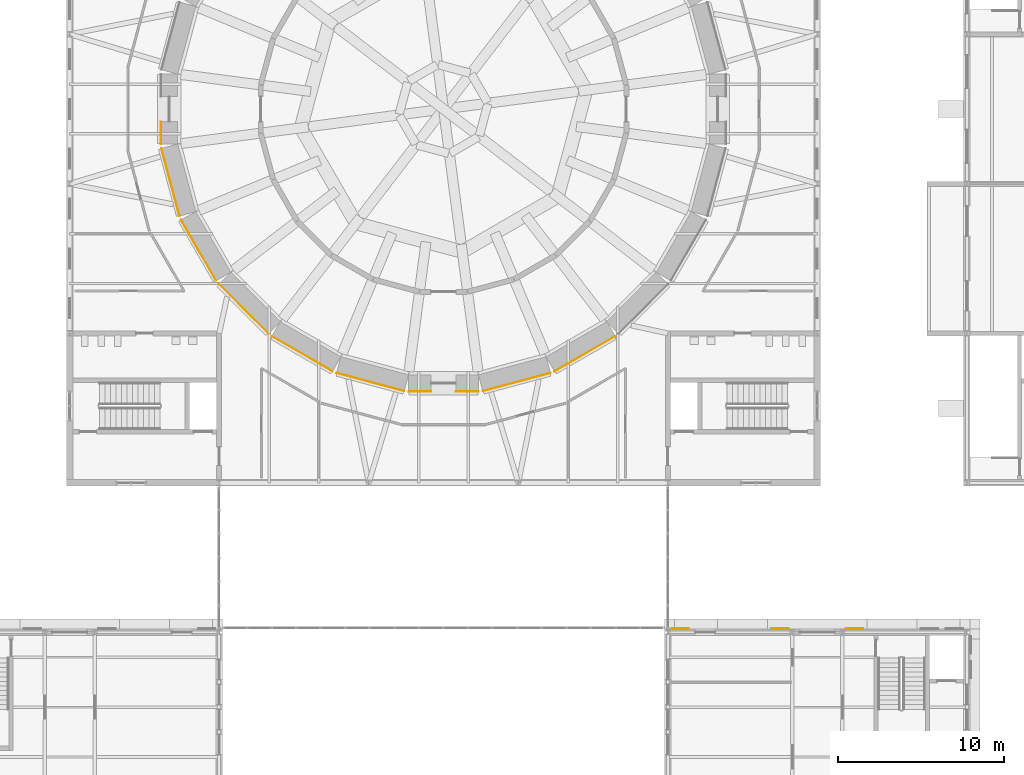
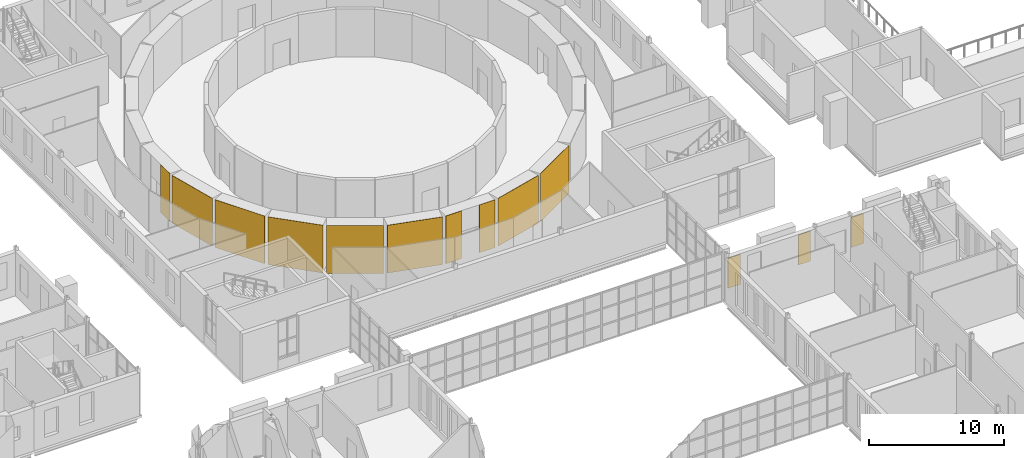
# One storey, part 120 of 131: 13 coverings.
"""IFC4 building model written with IfcOpenShell, lengths in metres."""

import ifcopenshell
import ifcopenshell.guid

model = None  # the IFC model being written
_history = None  # IfcOwnerHistory: only IFC2X3 demands one
_inside = {}  # id of a spatial element -> (the spatial element, [elements in it])
_under = {}  # id of a project, library or spatial element -> (it, [spatial elements below it])
_declared = {}  # id of a project -> (the project, [libraries it declares])
_typed = {}  # id of a type object -> (the type object, [elements of that type])
_made_of = {}  # id of a material, layer set ... -> (it, [elements and type objects made of it])


def new_model(schema):
    """Start an empty IFC model of exactly this schema.

    Asked for "IFC4X3", IfcOpenShell would pick the latest addendum, in which some entities
    have other attributes; the version numbers below select the first issue.
    IFC2X3 requires an IfcOwnerHistory on every rooted entity: one is made here for all.
    """
    global model, _history
    if schema == "IFC4X3":
        model = ifcopenshell.file(schema_version=(4, 3, 0, 0))
    else:
        model = ifcopenshell.file(schema=schema)
    _inside.clear()
    _under.clear()
    _declared.clear()
    _typed.clear()
    _made_of.clear()
    _history = None
    if model.schema == "IFC2X3":
        org = make("IfcOrganization", Name="unknown")
        user = make(
            "IfcPersonAndOrganization",
            ThePerson=make("IfcPerson", FamilyName="unknown"),
            TheOrganization=org,
        )
        app = make(
            "IfcApplication",
            ApplicationDeveloper=org,
            Version="unknown",
            ApplicationFullName="unknown",
            ApplicationIdentifier="unknown",
        )
        _history = make(
            "IfcOwnerHistory",
            OwningUser=user,
            OwningApplication=app,
            ChangeAction="ADDED",
            CreationDate=0,
        )
    return model


def make(cls, **values):
    """One entity of the class cls with the attributes given. An attribute that is None is left unset."""
    return model.create_entity(
        cls, **{name: value for name, value in values.items() if value is not None}
    )


def rooted(cls, **values):
    """An entity with a GlobalId (a new one), such as an element, a storey or a relation."""
    return make(cls, GlobalId=ifcopenshell.guid.new(), OwnerHistory=_history, **values)


def si_unit(unit_type, name, prefix=None):
    """IfcSIUnit, for example si_unit("LENGTHUNIT", "METRE", prefix="MILLI")."""
    return make("IfcSIUnit", UnitType=unit_type, Prefix=prefix, Name=name)


def assignment(units):
    """IfcUnitAssignment: the units of a project."""
    return None if units is None else make("IfcUnitAssignment", Units=units)


def point(xyz):
    """IfcCartesianPoint."""
    return None if xyz is None else make("IfcCartesianPoint", Coordinates=xyz)


def direction(xyz):
    """IfcDirection."""
    return None if xyz is None else make("IfcDirection", DirectionRatios=xyz)


def frame(location, z_axis=None, x_axis=None):
    """IfcAxis2Placement3D, a coordinate frame: its origin and axes. An axis left out is left unset."""
    return make(
        "IfcAxis2Placement3D",
        Location=point(location),
        Axis=direction(z_axis),
        RefDirection=direction(x_axis),
    )


def frame_2d(location, x_axis=None):
    """IfcAxis2Placement2D, a coordinate frame in the plane: its origin and x axis."""
    return make(
        "IfcAxis2Placement2D", Location=point(location), RefDirection=direction(x_axis)
    )


def origin():
    """The frame at (0, 0, 0) with its axes left unset."""
    return frame((0.0, 0.0, 0.0))


def origin_2d():
    """The frame at (0, 0) in the plane with its x axis left unset."""
    return frame_2d((0.0, 0.0))


def place(relative_to, where):
    """IfcLocalPlacement: puts the frame where relative to a parent placement (None: the world)."""
    return make(
        "IfcLocalPlacement", PlacementRelTo=relative_to, RelativePlacement=where
    )


def context(
    kind, dimensions, precision=None, world=None, true_north=None, identifier=None
):
    """IfcGeometricRepresentationContext, for example the 3D "Model" context."""
    return make(
        "IfcGeometricRepresentationContext",
        ContextIdentifier=identifier,
        ContextType=kind,
        CoordinateSpaceDimension=dimensions,
        Precision=precision,
        WorldCoordinateSystem=world,
        TrueNorth=true_north,
    )


def subcontext(parent, identifier, kind, view, scale=None):
    """IfcGeometricRepresentationSubContext, for example "Body" below "Model"."""
    return make(
        "IfcGeometricRepresentationSubContext",
        ContextIdentifier=identifier,
        ContextType=kind,
        ParentContext=parent,
        TargetScale=scale,
        TargetView=view,
    )


def project(units=None, contexts=None):
    """IfcProject with its units and contexts."""
    return rooted(
        "IfcProject",
        Name="project",
        RepresentationContexts=contexts,
        UnitsInContext=assignment(units),
    )


def spatial(cls, under=None, at=None, **own):
    """A site, building, storey or space (cls), placed at a placement, below another one or the project."""
    s = rooted(cls, ObjectPlacement=at, **own)
    if under is not None:
        _under.setdefault(under.id(), (under, []))[1].append(s)
    return s


def polyline(points):
    """IfcPolyline through the points."""
    return make("IfcPolyline", Points=[point(p) for p in points])


def profile(cls, at=None, kind="AREA", **sizes):
    """A parametric profile (cls). Its sizes go by their IFC names, for example OverallWidth=200.0."""
    return make(cls, ProfileType=kind, Position=at, **sizes)


def rectangle(**sizes):
    """IfcRectangleProfileDef."""
    return profile("IfcRectangleProfileDef", **sizes)


def outline(outer, holes=None, kind="AREA"):
    """IfcArbitraryClosedProfileDef: a profile drawn as a closed curve; with holes, ...WithVoids."""
    if holes is None:
        return make("IfcArbitraryClosedProfileDef", ProfileType=kind, OuterCurve=outer)
    return make(
        "IfcArbitraryProfileDefWithVoids",
        ProfileType=kind,
        OuterCurve=outer,
        InnerCurves=holes,
    )


def extrude(swept, where, along, depth):
    """IfcExtrudedAreaSolid: the profile swept, set in the frame where, extruded along a direction by depth."""
    return make(
        "IfcExtrudedAreaSolid",
        SweptArea=swept,
        Position=where,
        ExtrudedDirection=direction(along),
        Depth=depth,
    )


def shape(context_of_items, identifier, shape_type, items):
    """IfcShapeRepresentation: the items that make up one representation, for example the "Body"."""
    return make(
        "IfcShapeRepresentation",
        ContextOfItems=context_of_items,
        RepresentationIdentifier=identifier,
        RepresentationType=shape_type,
        Items=items,
    )


def material(Name=None, Category=None):
    """IfcMaterial."""
    return make("IfcMaterial", Name=Name, Category=Category)


def layer(
    of_material, thickness, ventilated=None, Name=None, Category=None, Priority=None
):
    """IfcMaterialLayer: one layer of a wall or slab, of a material (None: an air gap)."""
    return make(
        "IfcMaterialLayer",
        Material=of_material,
        LayerThickness=thickness,
        IsVentilated=ventilated,
        Name=Name,
        Category=Category,
        Priority=Priority,
    )


def layer_set(layers, Name=None):
    """IfcMaterialLayerSet."""
    return make("IfcMaterialLayerSet", MaterialLayers=layers, LayerSetName=Name)


def made_of(thing, what):
    """Note that an element or type object is made of a material, layer set ...; save() writes the relation."""
    if what is not None:
        _made_of.setdefault(what.id(), (what, []))[1].append(thing)
    return thing


def type_object(cls, material=None, **own):
    """A type object (cls), such as IfcWallType, which elements share."""
    return made_of(rooted(cls, **own), material)


def element(
    cls,
    number,
    at=None,
    inside=None,
    cuts=None,
    type_object=None,
    material=None,
    context=None,
    identifier="Body",
    shape_type=None,
    held_by="IfcProductDefinitionShape",
    body=None,
    shapes=None,
    **own,
):
    """One element of the class cls, such as IfcWall. Its Tag is "e" and its number.

    at: its placement. inside: the storey or other place that contains it. cuts: it is an
    opening in that element (IfcRelVoidsElement). A single representation is given by context,
    identifier, shape_type and body (its items); several are given by shapes. held_by: the class
    of the entity that holds the representations. save() writes the other relations.
    """
    e = rooted(cls, Tag="e%d" % number, ObjectPlacement=at, **own)
    if body is not None:
        shapes = [shape(context, identifier, shape_type, body)]
    if shapes is not None:
        e.Representation = make(held_by, Representations=shapes)
    if inside is not None:
        _inside.setdefault(inside.id(), (inside, []))[1].append(e)
    if cuts is not None:
        rooted(
            "IfcRelVoidsElement", RelatingBuildingElement=cuts, RelatedOpeningElement=e
        )
    if type_object is not None:
        _typed.setdefault(type_object.id(), (type_object, []))[1].append(e)
    return made_of(e, material)


def aggregate(whole, parts):
    """IfcRelAggregates: a whole, such as a stair, and the parts it consists of."""
    return rooted("IfcRelAggregates", RelatingObject=whole, RelatedObjects=parts)


def save(model, path):
    """Write the relations noted so far, then the file.

    IfcRelAggregates (storeys below a building ...), IfcRelContainedInSpatialStructure (elements
    in a storey), IfcRelDefinesByType, IfcRelAssociatesMaterial and IfcRelDeclares: one each for
    every whole, place, type object, material and project.
    """
    for whole, parts in _under.values():
        aggregate(whole, parts)
    for where, things in _inside.values():
        rooted(
            "IfcRelContainedInSpatialStructure",
            RelatedElements=things,
            RelatingStructure=where,
        )
    for kind, things in _typed.values():
        rooted("IfcRelDefinesByType", RelatedObjects=things, RelatingType=kind)
    for what, things in _made_of.values():
        rooted("IfcRelAssociatesMaterial", RelatedObjects=things, RelatingMaterial=what)
    for by, libraries in _declared.values():
        rooted("IfcRelDeclares", RelatingContext=by, RelatedDefinitions=libraries)
    model.write(path)


model = new_model("IFC4")

# Units and contexts
model_context = context("Model", 3, precision=1e-05, world=origin(), true_north=direction((0.0, 1.0)))
body_context = subcontext(model_context, "Body", "Model", "MODEL_VIEW")
ifc_project = project(units=[si_unit("LENGTHUNIT", "METRE"), si_unit("AREAUNIT", "SQUARE_METRE"), si_unit("VOLUMEUNIT", "CUBIC_METRE"), si_unit("PLANEANGLEUNIT", "RADIAN"), si_unit("MASSUNIT", "GRAM", prefix="KILO")], contexts=[model_context])

# Site, building, storey
site_placement = place(None, origin())
site = spatial("IfcSite", under=ifc_project, at=site_placement, CompositionType="ELEMENT")
building_placement = place(site_placement, origin())
building = spatial("IfcBuilding", under=site, at=building_placement, Name="Golden Quay Civic Hall", CompositionType="ELEMENT")
storey_placement = place(building_placement, frame((0.0, 0.0, 9.89990234375)))
storey = spatial("IfcBuildingStorey", under=building, at=storey_placement, Name="L02", CompositionType="ELEMENT", Elevation=9.89990234375)

# Coverings
ifc_material_1 = material(Name="Ceramic tile")
ifc_layer_1 = layer(ifc_material_1, 0.030029296875)
ifc_layer_set_1 = layer_set([ifc_layer_1], Name="Ceramic tile cladding, green glaze")
covering_type_1 = type_object("IfcCoveringType", Name="Ceramic tile cladding, green glaze", PredefinedType="CLADDING", material=ifc_layer_set_1)
covering_1_placement = place(storey_placement, frame((68.485107421875, 84.07177734375, 0.0), z_axis=(0.0, 0.0, 1.0), x_axis=(0.0, -1.0, 0.0)))
element("IfcCovering", 1, at=covering_1_placement, inside=storey, type_object=covering_type_1, Name="Drum cladding 12.2", PredefinedType="CLADDING", context=body_context, shape_type="SweptSolid", body=[
    extrude(rectangle(XDim=1.3564453125, YDim=0.030029296875, at=origin_2d()), origin(), (0.0, 0.0, 1.0), 4.300048828125),
])
for number, where, z_axis, x_axis, name in (
    (2, (69.064697265625, 81.09619140625, 0.0), (0.0, 0.0, 1.0), (0.258819045103, -0.965925826289, 0.0), "Drum cladding 13.1"),
    (3, (70.7646484375, 76.992431640625, 0.0), (0.0, 0.0, 1.0), (0.5, -0.866025403784, 0.0), "Drum cladding 14.1"),
    (4, (73.468505859375, 73.468505859375, 0.0), (0.0, 0.0, 1.0), (0.707106781187, -0.707106781187, 0.0), "Drum cladding 15.1"),
    (5, (76.992431640625, 70.7646484375, 0.0), (0.0, 0.0, 1.0), (0.866025403784, -0.5, 0.0), "Drum cladding 16.1"),
    (6, (81.09619140625, 69.064697265625, 0.0), (0.0, 0.0, 1.0), (0.965925826289, -0.258819045103, 0.0), "Drum cladding 17.1"),
):
    element("IfcCovering", number, at=place(storey_placement, frame(where, z_axis=z_axis, x_axis=x_axis)), inside=storey, type_object=covering_type_1, Name=name, PredefinedType="CLADDING", context=body_context, shape_type="SweptSolid", body=[
        extrude(rectangle(XDim=4.212890625, YDim=0.030029296875, at=origin_2d()), origin(), (0.0, 0.0, 1.0), 4.300048828125),
    ])
for number, where, z_axis, x_axis, name in (
    (7, (84.07177734375, 68.485107421875, 0.0), (0.0, 0.0, 1.0), (1.0, 0.0, 0.0), "Drum cladding 18.1"),
    (8, (86.92822265625, 68.485107421875, 0.0), (0.0, 0.0, 1.0), (1.0, 0.0, 0.0), "Drum cladding 18.2"),
):
    element("IfcCovering", number, at=place(storey_placement, frame(where, z_axis=z_axis, x_axis=x_axis)), inside=storey, type_object=covering_type_1, Name=name, PredefinedType="CLADDING", context=body_context, shape_type="SweptSolid", body=[
        extrude(rectangle(XDim=1.3564453125, YDim=0.030029296875, at=origin_2d()), origin(), (0.0, 0.0, 1.0), 4.300048828125),
    ])
for number, where, z_axis, x_axis, name in (
    (9, (89.90380859375, 69.064697265625, 0.0), (0.0, 0.0, 1.0), (0.965925826289, 0.258819045103, 0.0), "Drum cladding 19.1"),
    (10, (94.007568359375, 70.7646484375, 0.0), (0.0, 0.0, 1.0), (0.866025403784, 0.5, 0.0), "Drum cladding 20.1"),
):
    element("IfcCovering", number, at=place(storey_placement, frame(where, z_axis=z_axis, x_axis=x_axis)), inside=storey, type_object=covering_type_1, Name=name, PredefinedType="CLADDING", context=body_context, shape_type="SweptSolid", body=[
        extrude(rectangle(XDim=4.212890625, YDim=0.030029296875, at=origin_2d()), origin(), (0.0, 0.0, 1.0), 4.300048828125),
    ])
ifc_material_2 = material(Name="Terracotta cladding, golden glaze", Category="masonry")
ifc_layer_2 = layer(ifc_material_2, 0.050048828125)
ifc_layer_set_2 = layer_set([ifc_layer_2], Name="Terracotta solid panel 1050 x 2700 x 50")
covering_type_2 = type_object("IfcCoveringType", Name="Terracotta solid panel 1050 x 2700 x 50", PredefinedType="CLADDING", material=ifc_layer_set_2)
covering_2_placement = place(storey_placement, frame((0.0, 0.0, 0.900146484375)))
element("IfcCovering", 11, at=covering_2_placement, inside=storey, type_object=covering_type_2, Name="Terracotta solid panel 1050 x 2700 x 50 L02 27", PredefinedType="CLADDING", context=body_context, shape_type="SweptSolid", body=[
    extrude(outline(polyline([(99.22509765625, 54.199951171875), (100.27490234375, 54.199951171875), (100.27490234375, 54.25), (99.22509765625, 54.25), (99.22509765625, 54.199951171875)])), origin(), (0.0, 0.0, 1.0), 2.699951171875),
])
covering_3_placement = place(storey_placement, frame((0.0, 0.0, 0.900146484375)))
element("IfcCovering", 12, at=covering_3_placement, inside=storey, type_object=covering_type_2, Name="Terracotta solid panel 1050 x 2700 x 50 L02 28", PredefinedType="CLADDING", context=body_context, shape_type="SweptSolid", body=[
    extrude(outline(polyline([(105.22509765625, 54.199951171875), (106.27490234375, 54.199951171875), (106.27490234375, 54.25), (105.22509765625, 54.25), (105.22509765625, 54.199951171875)])), origin(), (0.0, 0.0, 1.0), 2.699951171875),
])
covering_4_placement = place(storey_placement, frame((0.0, 0.0, 0.900146484375)))
element("IfcCovering", 13, at=covering_4_placement, inside=storey, type_object=covering_type_2, Name="Terracotta solid panel 1050 x 2700 x 50 L02 29", PredefinedType="CLADDING", context=body_context, shape_type="SweptSolid", body=[
    extrude(outline(polyline([(109.72509765625, 54.199951171875), (110.77490234375, 54.199951171875), (110.77490234375, 54.25), (109.72509765625, 54.25), (109.72509765625, 54.199951171875)])), origin(), (0.0, 0.0, 1.0), 2.699951171875),
])

save(model, "model.ifc")
